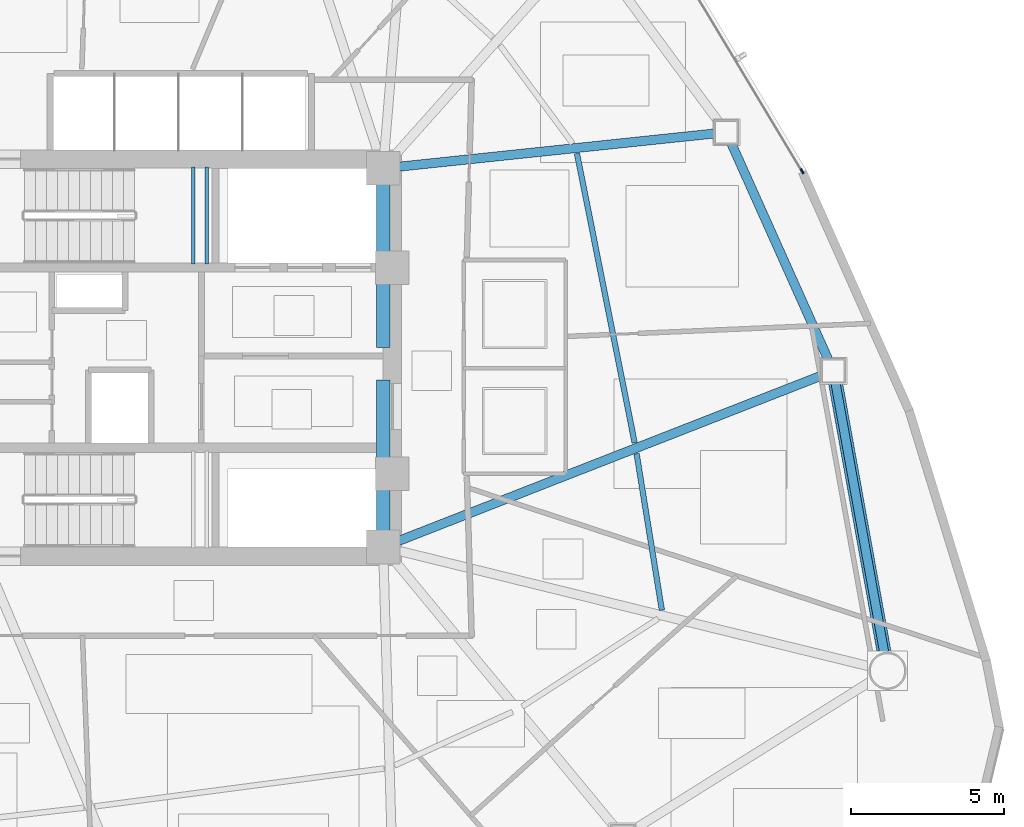
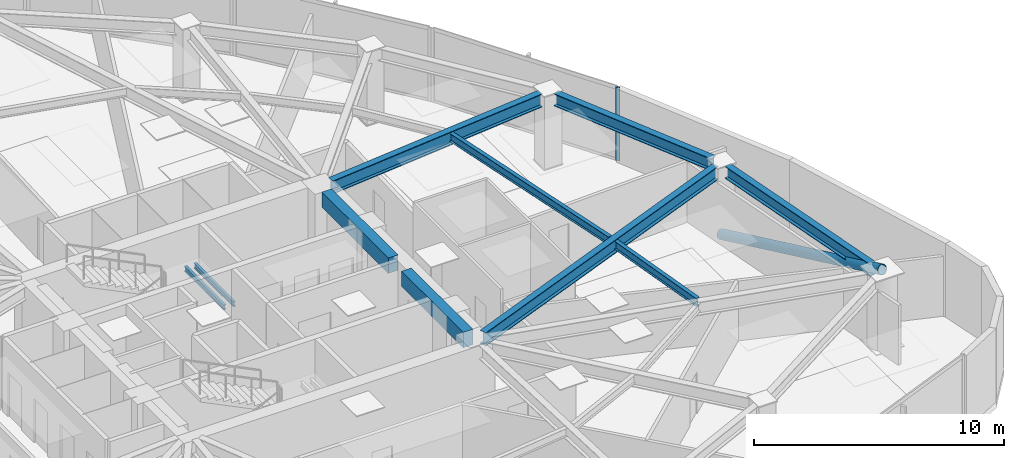
# One storey, part 6 of 17: 10 beams, 2 members, 1 element without a shape of its own.
"""IFC4 building model written with IfcOpenShell, lengths in metres."""

from ifc_helpers import new_model, si_unit, direction, frame, origin, origin_2d, place, context, subcontext, project, spatial, rectangle, hollow_rectangle, hollow_circle, i_section, extrude, source, transform, mapped, material, layer, layer_set, material_profile, profile_set, type_object, type_shapes, element, aggregate, save


model = new_model("IFC4")

# Units and contexts
model_context = context("Model", 3, precision=1e-05, world=origin(), true_north=direction((0.0, 1.0)))
body_context = subcontext(model_context, "Body", "Model", "MODEL_VIEW")
ifc_project = project(units=[si_unit("LENGTHUNIT", "METRE"), si_unit("AREAUNIT", "SQUARE_METRE"), si_unit("VOLUMEUNIT", "CUBIC_METRE"), si_unit("PLANEANGLEUNIT", "RADIAN"), si_unit("MASSUNIT", "GRAM", prefix="KILO")], contexts=[model_context])

# Site, building, storey
site_placement = place(None, origin())
site = spatial("IfcSite", under=ifc_project, at=site_placement, CompositionType="ELEMENT")
building_placement = place(site_placement, origin())
building = spatial("IfcBuilding", under=site, at=building_placement, Name="Tavelor Broadcast Tower", CompositionType="ELEMENT")
storey_placement = place(building_placement, frame((0.0, 0.0, 43.199951171875)))
storey = spatial("IfcBuildingStorey", under=building, at=storey_placement, Name="L09", CompositionType="ELEMENT", Elevation=43.199951171875)

# Beams
ifc_material_1 = material(Name="Concrete C40/50", Category="concrete")
ifc_material_profile_1 = material_profile(ifc_material_1, rectangle(XDim=0.449951171875, YDim=0.75, at=origin_2d()), Name="RC 450x750")
ifc_profile_set_1 = profile_set([ifc_material_profile_1], Name="Concrete C40/50")
beam_type_1 = type_object("IfcBeamType", Name="Basement Core Trim Beam 450x750", PredefinedType="BEAM", material=ifc_profile_set_1)
beam_1_placement = place(storey_placement, frame((56.60009765625, 45.327880859375, 3.22509765625), z_axis=(0.0, 1.0, 0.0), x_axis=(-1.0, 0.0, 0.0)))
element("IfcBeam", 1, at=beam_1_placement, inside=storey, type_object=beam_type_1, Name="L09 Core East-N Tie Girder", PredefinedType="BEAM", context=body_context, shape_type="SweptSolid", body=[
    extrude(rectangle(XDim=0.449951171875, YDim=0.75, at=origin_2d()), origin(), (0.0, 0.0, 1.0), 5.34423828125),
])
beam_2_placement = place(storey_placement, frame((56.60009765625, 39.327880859375, 3.22509765625), z_axis=(0.0, 1.0, 0.0), x_axis=(-1.0, 0.0, 0.0)))
element("IfcBeam", 2, at=beam_2_placement, inside=storey, type_object=beam_type_1, Name="L09 Core East-S Tie Girder", PredefinedType="BEAM", context=body_context, shape_type="SweptSolid", body=[
    extrude(rectangle(XDim=0.449951171875, YDim=0.75, at=origin_2d()), origin(), (0.0, 0.0, 1.0), 4.944091796875),
])
ifc_material_2 = material(Name="Steel S355", Category="steel")
ifc_material_profile_2 = material_profile(ifc_material_2, i_section(OverallWidth=0.179931640625, OverallDepth=0.39990234375, WebThickness=0.008544921875, FlangeThickness=0.013427734375, at=origin_2d()), Name="IPE 400")
ifc_profile_set_2 = profile_set([ifc_material_profile_2], Name="Steel S355")
beam_type_2 = type_object("IfcBeamType", Name="Composite Floor Joist T1 IPE 400", PredefinedType="JOIST", material=ifc_profile_set_2)
beam_3_placement = place(storey_placement, frame((65.728515625, 36.72998046875, 3.400146484375), z_axis=(-0.159264963379, 0.987235874267, 0.0), x_axis=(-0.987235874267, -0.159264963379, 0.0)))
element("IfcBeam", 3, at=beam_3_placement, inside=storey, type_object=beam_type_2, Name="L09 Secondary Composite Floor Joist 13", PredefinedType="JOIST", context=body_context, shape_type="SweptSolid", body=[
    extrude(i_section(OverallWidth=0.179931640625, OverallDepth=0.39990234375, WebThickness=0.008544921875, FlangeThickness=0.013427734375, at=origin_2d()), origin(), (0.0, 0.0, 1.0), 5.19189453125),
])
beam_4_placement = place(storey_placement, frame((64.83740234375, 42.2119140625, 3.400146484375), z_axis=(-0.195615567929, 0.980680656271, 0.0), x_axis=(-0.980680656271, -0.195615567929, 0.0)))
element("IfcBeam", 4, at=beam_4_placement, inside=storey, type_object=beam_type_2, Name="L09 Secondary Composite Floor Joist 14", PredefinedType="JOIST", context=body_context, shape_type="SweptSolid", body=[
    extrude(i_section(OverallWidth=0.179931640625, OverallDepth=0.39990234375, WebThickness=0.008544921875, FlangeThickness=0.013427734375, at=origin_2d()), origin(), (0.0, 0.0, 1.0), 9.661376953125),
])
ifc_material_profile_3 = material_profile(ifc_material_2, i_section(OverallWidth=0.300048828125, OverallDepth=0.60009765625, WebThickness=0.015380859375, FlangeThickness=0.030029296875, at=origin_2d()), Name="HEB 600")
ifc_profile_set_3 = profile_set([ifc_material_profile_3], Name="Steel S355")
beam_type_3 = type_object("IfcBeamType", Name="Perimeter Spandrel Beam T1 HEB 600", PredefinedType="SPANDREL", material=ifc_profile_set_3)
beam_5_placement = place(storey_placement, frame((73.013916015625, 35.31982421875, 3.300048828125), z_axis=(-0.177745578839, 0.984076475282, 0.0), x_axis=(-0.984076475282, -0.177745578839, 0.0)))
element("IfcBeam", 5, at=beam_5_placement, inside=storey, type_object=beam_type_3, Name="L09 Framed-Tube Ring Spandrel 13", PredefinedType="SPANDREL", context=body_context, shape_type="SweptSolid", body=[
    extrude(i_section(OverallWidth=0.300048828125, OverallDepth=0.60009765625, WebThickness=0.015380859375, FlangeThickness=0.030029296875, at=origin_2d()), origin(), (0.0, 0.0, 1.0), 9.010498046875),
])
beam_6_placement = place(storey_placement, frame((71.18701171875, 44.9150390625, 3.300048828125), z_axis=(-0.40892197507, 0.912569349861, 0.0), x_axis=(-0.912569349861, -0.40892197507, 0.0)))
element("IfcBeam", 6, at=beam_6_placement, inside=storey, type_object=beam_type_3, Name="L09 Framed-Tube Ring Spandrel 14", PredefinedType="SPANDREL", context=body_context, shape_type="SweptSolid", body=[
    extrude(i_section(OverallWidth=0.300048828125, OverallDepth=0.60009765625, WebThickness=0.015380859375, FlangeThickness=0.030029296875, at=origin_2d()), origin(), (0.0, 0.0, 1.0), 7.799072265625),
])

# Member
ifc_material_profile_4 = material_profile(ifc_material_2, hollow_circle(Radius=0.228515625, WallThickness=0.02001953125, at=origin_2d()), Name="CHS 457x20")
ifc_profile_set_4 = profile_set([ifc_material_profile_4], Name="Steel S355")
member_type_1 = type_object("IfcMemberType", Name="Perimeter Tube Brace T1 CHS 457x20", PredefinedType="BRACE", material=ifc_profile_set_4)
member_1_placement = place(storey_placement, frame((71.343994140625, 44.564697265625, 0.0), z_axis=(0.167205980675, -0.925685078259, 0.339336552578), x_axis=(0.984075144607, 0.177752945874, 0.0)))
element("IfcMember", 7, at=member_1_placement, inside=storey, type_object=member_type_1, Name="L09 Corner Tube Diagonal Brace 3", PredefinedType="BRACE", context=body_context, shape_type="SweptSolid", body=[
    extrude(hollow_circle(Radius=0.228515625, WallThickness=0.02001953125, at=origin_2d()), origin(), (0.0, 0.0, 1.0), 10.609130859375),
])

# Beams
ifc_material_profile_5 = material_profile(ifc_material_2, i_section(OverallWidth=0.300048828125, OverallDepth=0.64990234375, WebThickness=0.01611328125, FlangeThickness=0.031005859375, at=origin_2d()), Name="HEB 650")
ifc_profile_set_5 = profile_set([ifc_material_profile_5], Name="Steel S355")
beam_type_4 = type_object("IfcBeamType", Name="Radial Floor Girder T1 HEB 650", PredefinedType="BEAM", material=ifc_profile_set_5)
beam_7_placement = place(storey_placement, frame((57.091796875, 38.9921875, 3.275146484375), z_axis=(0.931344390249, 0.364139570429, 0.0), x_axis=(-0.364139570429, 0.931344390249, 0.0)))
element("IfcBeam", 8, at=beam_7_placement, inside=storey, type_object=beam_type_4, Name="L09 Radial Primary Floor Girder 14", PredefinedType="BEAM", context=body_context, shape_type="SweptSolid", body=[
    extrude(i_section(OverallWidth=0.300048828125, OverallDepth=0.64990234375, WebThickness=0.01611328125, FlangeThickness=0.031005859375, at=origin_2d()), origin(), (0.0, 0.0, 1.0), 14.9189453125),
])
beam_8_placement = place(storey_placement, frame((57.125, 51.255126953125, 3.275146484375), z_axis=(0.994511502262, 0.104627299822, 0.0), x_axis=(-0.104627299822, 0.994511502262, 0.0)))
element("IfcBeam", 9, at=beam_8_placement, inside=storey, type_object=beam_type_4, Name="L09 Radial Primary Floor Girder 15", PredefinedType="BEAM", context=body_context, shape_type="SweptSolid", body=[
    extrude(i_section(OverallWidth=0.300048828125, OverallDepth=0.64990234375, WebThickness=0.01611328125, FlangeThickness=0.031005859375, at=origin_2d()), origin(), (0.0, 0.0, 1.0), 10.390869140625),
])
ifc_material_profile_6 = material_profile(ifc_material_2, i_section(OverallWidth=0.1201171875, OverallDepth=0.239990234375, WebThickness=0.006103515625, FlangeThickness=0.009765625, at=origin_2d()), Name="IPE 240")
ifc_profile_set_6 = profile_set([ifc_material_profile_6], Name="Steel S355")
beam_type_5 = type_object("IfcBeamType", Name="Stairwell Landing Support Trimmer Beam IPE240", PredefinedType="BEAM", material=ifc_profile_set_6)
for number, where, z_axis, x_axis, name in (
    (10, (50.385009765625, 48.06005859375, 1.635009765625), (0.0, 1.0, 0.0), (-1.0, 0.0, 0.0), "L09 Stair Landing Support Beam 43"),
    (11, (50.824951171875, 48.06005859375, 1.635009765625), (0.0, 1.0, 0.0), (-1.0, 0.0, 0.0), "L09 Stair Landing Support Beam 44"),
):
    element("IfcBeam", number, at=place(storey_placement, frame(where, z_axis=z_axis, x_axis=x_axis)), inside=storey, type_object=beam_type_5, Name=name, PredefinedType="BEAM", context=body_context, shape_type="SweptSolid", body=[
        extrude(i_section(OverallWidth=0.1201171875, OverallDepth=0.239990234375, WebThickness=0.006103515625, FlangeThickness=0.009765625, at=origin_2d()), origin(), (0.0, 0.0, 1.0), 3.179931640625),
    ])

# Curtain wall, member
ifc_material_3 = material(Name="Architectural Anodized Aluminium", Category="aluminium")
ifc_layer = layer(ifc_material_3, 0.179931640625)
ifc_layer_set = layer_set([ifc_layer], Name="Architectural Anodized Aluminium")
curtain_wall_type = type_object("IfcCurtainWallType", Name="Tower Low-Zone Unitised Curtain Wall CW02", PredefinedType="NOTDEFINED", material=ifc_layer_set)
curtain_wall_placement = place(storey_placement, origin())
curtain_wall = element("IfcCurtainWall", 12, at=curtain_wall_placement, inside=storey, type_object=curtain_wall_type, Name="L09 Curtain Wall CW02 Run 69", PredefinedType="NOTDEFINED")
ifc_material_profile_7 = material_profile(ifc_material_3, hollow_rectangle(XDim=0.06494140625, YDim=0.179931640625, WallThickness=0.02197265625, at=origin_2d()), Name="RHS 65x180x22")
ifc_profile_set_7 = profile_set([ifc_material_profile_7], Name="Architectural Anodized Aluminium")
member_type_2 = type_object("IfcMemberType", Name="CW02 Extruded Aluminium Mullion 65x180", PredefinedType="MULLION", material=ifc_profile_set_7)
shared_shape = source(origin(), body_context, "Body", "SweptSolid", [
    extrude(hollow_rectangle(XDim=0.06494140625, YDim=0.179931640625, WallThickness=0.02197265625, at=origin_2d()), origin(), (0.0, 0.0, 1.0), 3.60009765625),
])
type_shapes(member_type_2, [shared_shape])
member_2_placement = place(storey_placement, frame((70.321533203125, 51.103759765625, 0.0), z_axis=(0.0, 0.0, 1.0), x_axis=(-0.856947701911, -0.51540337231, 0.0)))
member_2 = element("IfcMember", 13, at=member_2_placement, type_object=member_type_2, Name="CW02 mullion 1", PredefinedType="MULLION", context=body_context, shape_type="MappedRepresentation", body=[
    mapped(shared_shape, transform((0.0, 0.0, 0.0), scale=1.0)),
])
aggregate(curtain_wall, [member_2])

save(model, "model.ifc")
